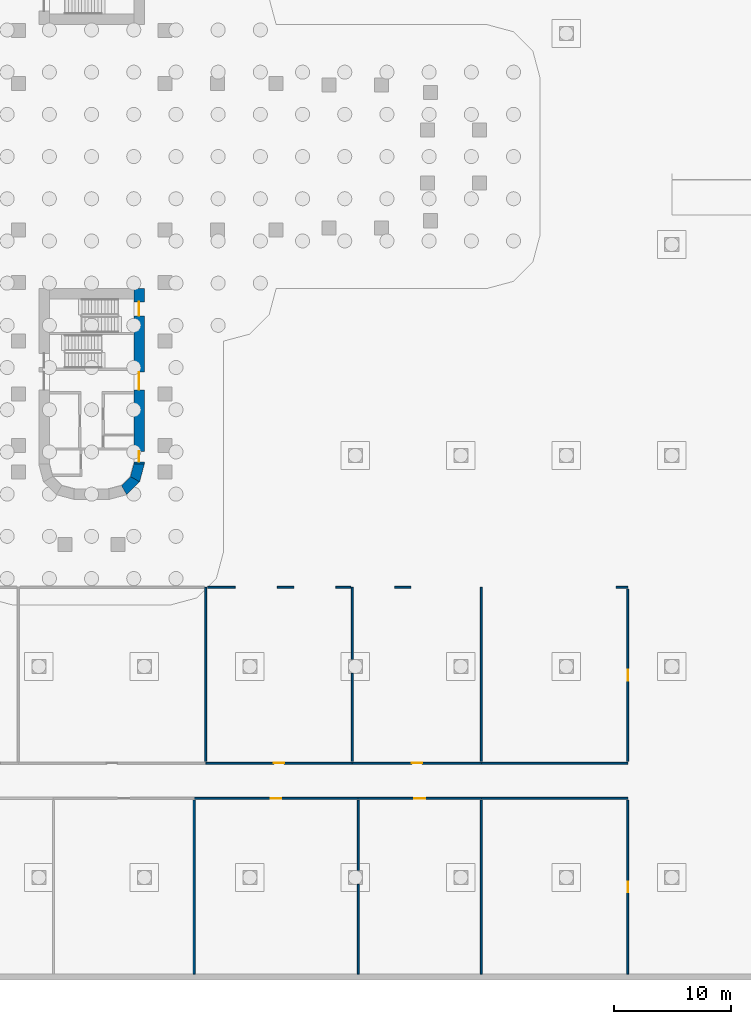
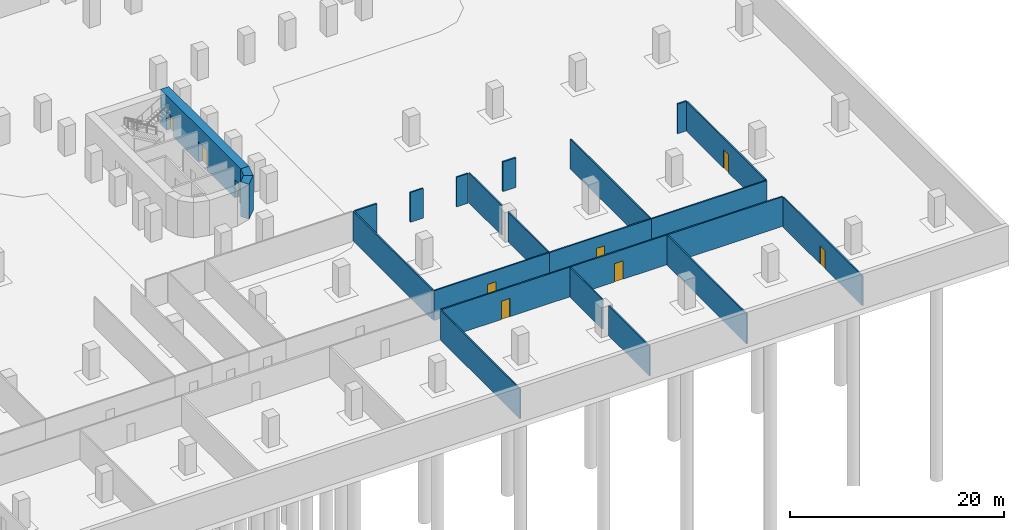
# One storey, part 8 of 14: 24 walls, 9 doors, 9 openings.
"""IFC4 building model written with IfcOpenShell, lengths in metres."""

from ifc_helpers import new_model, si_unit, direction, frame, frame_2d, origin, place, context, subcontext, project, spatial, polyline, rectangle, outline, extrude, material, layer, layer_set, type_object, element, fill, save


model = new_model("IFC4")

# Units and contexts
model_context = context("Model", 3, precision=1e-05, world=origin(), true_north=direction((0.0, 1.0)))
body_context = subcontext(model_context, "Body", "Model", "MODEL_VIEW")
ifc_project = project(units=[si_unit("LENGTHUNIT", "METRE"), si_unit("AREAUNIT", "SQUARE_METRE"), si_unit("VOLUMEUNIT", "CUBIC_METRE"), si_unit("PLANEANGLEUNIT", "RADIAN"), si_unit("MASSUNIT", "GRAM", prefix="KILO")], contexts=[model_context])

# Site, building, storey
site_placement = place(None, origin())
site = spatial("IfcSite", under=ifc_project, at=site_placement, CompositionType="ELEMENT")
building_placement = place(site_placement, origin())
building = spatial("IfcBuilding", under=site, at=building_placement, Name="Zarbagh Exchange Tower", CompositionType="ELEMENT")
storey_placement = place(building_placement, frame((0.0, 0.0, -8.0)))
storey = spatial("IfcBuildingStorey", under=building, at=storey_placement, Name="B2", CompositionType="ELEMENT", Elevation=-8.0)

# Wall, opening, door
ifc_material_1 = material(Name="Plasterboard partition")
ifc_layer_1 = layer(ifc_material_1, 0.14990234375)
ifc_layer_set_1 = layer_set([ifc_layer_1], Name="Board partition 150")
wall_type_1 = type_object("IfcWallType", Name="Board partition 150", PredefinedType="PARTITIONING", material=ifc_layer_set_1)
wall_1_placement = place(storey_placement, frame((22.75, -54.75, 0.0), z_axis=(0.0, 0.0, 1.0), x_axis=(-1.0, 0.0, 0.0)))
wall_1 = element("IfcWall", 1, at=wall_1_placement, inside=storey, type_object=wall_type_1, Name="WL-B2-W018", PredefinedType="PARTITIONING", context=body_context, shape_type="SweptSolid", body=[
    extrude(rectangle(XDim=14.0, YDim=0.14990234375, at=frame_2d((7.0, 0.0))), origin(), (0.0, 0.0, 1.0), 3.39990234375),
])
opening_1_placement = place(wall_1_placement, frame((6.550048828125, 0.0, 0.0)))
opening_1 = element("IfcOpeningElement", 2, at=opening_1_placement, cuts=wall_1, Name="Opening D12", PredefinedType="OPENING", context=body_context, shape_type="SweptSolid", body=[
    extrude(rectangle(XDim=0.89990234375, YDim=2.10009765625, at=frame_2d((0.449951171875, 1.050048828125))), frame((0.0, 0.0849609375, 0.0), z_axis=(0.0, -1.0, 0.0), x_axis=(1.0, 0.0, 0.0)), (0.0, 0.0, 1.0), 0.169921875),
])
ifc_material_2 = material(Name="Timber door leaf", Category="wood")
door_type_1 = type_object("IfcDoorType", Name="Door single 900x2100", OperationType="SINGLE_SWING_LEFT", PredefinedType="DOOR", material=ifc_material_2)
door_1_placement = place(opening_1_placement, origin())
door_1 = element("IfcDoor", 3, at=door_1_placement, inside=storey, type_object=door_type_1, Name="D12", OperationType="SINGLE_SWING_LEFT", OverallHeight=2.10009765625, OverallWidth=0.89990234375, PredefinedType="DOOR", context=body_context, shape_type="SweptSolid", body=[
    extrude(rectangle(XDim=0.89990234375, YDim=2.10009765625, at=frame_2d((0.449951171875, 1.050048828125))), frame((0.0, 0.02490234375, 0.0), z_axis=(0.0, -1.0, 0.0), x_axis=(1.0, 0.0, 0.0)), (0.0, 0.0, 1.0), 0.050048828125),
])
fill(opening_1, door_1)

wall_2_placement = place(storey_placement, frame((33.25, -54.75, 0.0), z_axis=(0.0, 0.0, 1.0), x_axis=(-1.0, 0.0, 0.0)))
wall_2 = element("IfcWall", 4, at=wall_2_placement, inside=storey, type_object=wall_type_1, Name="WL-B2-W019", PredefinedType="PARTITIONING", context=body_context, shape_type="SweptSolid", body=[
    extrude(rectangle(XDim=10.5, YDim=0.14990234375, at=frame_2d((5.25, 0.0))), origin(), (0.0, 0.0, 1.0), 3.39990234375),
])
opening_2_placement = place(wall_2_placement, frame((4.800048828125, 0.0, 0.0)))
opening_2 = element("IfcOpeningElement", 5, at=opening_2_placement, cuts=wall_2, Name="Opening D13", PredefinedType="OPENING", context=body_context, shape_type="SweptSolid", body=[
    extrude(rectangle(XDim=0.89990234375, YDim=2.10009765625, at=frame_2d((0.449951171875, 1.050048828125))), frame((0.0, 0.0849609375, 0.0), z_axis=(0.0, -1.0, 0.0), x_axis=(1.0, 0.0, 0.0)), (0.0, 0.0, 1.0), 0.169921875),
])
door_2_placement = place(opening_2_placement, origin())
door_2 = element("IfcDoor", 6, at=door_2_placement, inside=storey, type_object=door_type_1, Name="D13", OperationType="SINGLE_SWING_LEFT", OverallHeight=2.10009765625, OverallWidth=0.89990234375, PredefinedType="DOOR", context=body_context, shape_type="SweptSolid", body=[
    extrude(rectangle(XDim=0.89990234375, YDim=2.10009765625, at=frame_2d((0.449951171875, 1.050048828125))), frame((0.0, 0.02490234375, 0.0), z_axis=(0.0, -1.0, 0.0), x_axis=(1.0, 0.0, 0.0)), (0.0, 0.0, 1.0), 0.050048828125),
])
fill(opening_2, door_2)

# Wall
wall_3_placement = place(storey_placement, frame((45.75, -54.75, 0.0), z_axis=(0.0, 0.0, 1.0), x_axis=(-1.0, 0.0, 0.0)))
element("IfcWall", 7, at=wall_3_placement, inside=storey, type_object=wall_type_1, Name="WL-B2-W020", PredefinedType="PARTITIONING", context=body_context, shape_type="SweptSolid", body=[
    extrude(rectangle(XDim=12.5, YDim=0.14990234375, at=frame_2d((6.25, 0.0))), origin(), (0.0, 0.0, 1.0), 3.39990234375),
])

# Wall, opening, door
wall_4_placement = place(storey_placement, frame((9.75, -51.75, 0.0), z_axis=(0.0, 0.0, 1.0), x_axis=(1.0, 0.0, 0.0)))
wall_4 = element("IfcWall", 8, at=wall_4_placement, inside=storey, type_object=wall_type_1, Name="WL-B2-W027", PredefinedType="PARTITIONING", context=body_context, shape_type="SweptSolid", body=[
    extrude(rectangle(XDim=12.5, YDim=0.14990234375, at=frame_2d((6.25, 0.0))), origin(), (0.0, 0.0, 1.0), 3.39990234375),
])
opening_3_placement = place(wall_4_placement, frame((5.800048828125, 0.0, 0.0)))
opening_3 = element("IfcOpeningElement", 9, at=opening_3_placement, cuts=wall_4, Name="Opening D64", PredefinedType="OPENING", context=body_context, shape_type="SweptSolid", body=[
    extrude(rectangle(XDim=0.89990234375, YDim=2.10009765625, at=frame_2d((0.449951171875, 1.050048828125))), frame((0.0, 0.0849609375, 0.0), z_axis=(0.0, -1.0, 0.0), x_axis=(1.0, 0.0, 0.0)), (0.0, 0.0, 1.0), 0.169921875),
])
door_3_placement = place(opening_3_placement, origin())
door_3 = element("IfcDoor", 10, at=door_3_placement, inside=storey, type_object=door_type_1, Name="D19", OperationType="SINGLE_SWING_LEFT", OverallHeight=2.10009765625, OverallWidth=0.89990234375, PredefinedType="DOOR", context=body_context, shape_type="SweptSolid", body=[
    extrude(rectangle(XDim=0.89990234375, YDim=2.10009765625, at=frame_2d((0.449951171875, 1.050048828125))), frame((0.0, 0.02490234375, 0.0), z_axis=(0.0, -1.0, 0.0), x_axis=(1.0, 0.0, 0.0)), (0.0, 0.0, 1.0), 0.050048828125),
])
fill(opening_3, door_3)

wall_5_placement = place(storey_placement, frame((22.25, -51.75, 0.0), z_axis=(0.0, 0.0, 1.0), x_axis=(1.0, 0.0, 0.0)))
wall_5 = element("IfcWall", 11, at=wall_5_placement, inside=storey, type_object=wall_type_1, Name="WL-B2-W028", PredefinedType="PARTITIONING", context=body_context, shape_type="SweptSolid", body=[
    extrude(rectangle(XDim=11.0, YDim=0.14990234375, at=frame_2d((5.5, 0.0))), origin(), (0.0, 0.0, 1.0), 3.39990234375),
])
opening_4_placement = place(wall_5_placement, frame((5.050048828125, 0.0, 0.0)))
opening_4 = element("IfcOpeningElement", 12, at=opening_4_placement, cuts=wall_5, Name="Opening D20", PredefinedType="OPENING", context=body_context, shape_type="SweptSolid", body=[
    extrude(rectangle(XDim=0.89990234375, YDim=2.10009765625, at=frame_2d((0.449951171875, 1.050048828125))), frame((0.0, 0.0849609375, 0.0), z_axis=(0.0, -1.0, 0.0), x_axis=(1.0, 0.0, 0.0)), (0.0, 0.0, 1.0), 0.169921875),
])
door_4_placement = place(opening_4_placement, origin())
door_4 = element("IfcDoor", 13, at=door_4_placement, inside=storey, type_object=door_type_1, Name="D20", OperationType="SINGLE_SWING_LEFT", OverallHeight=2.10009765625, OverallWidth=0.89990234375, PredefinedType="DOOR", context=body_context, shape_type="SweptSolid", body=[
    extrude(rectangle(XDim=0.89990234375, YDim=2.10009765625, at=frame_2d((0.449951171875, 1.050048828125))), frame((0.0, 0.02490234375, 0.0), z_axis=(0.0, -1.0, 0.0), x_axis=(1.0, 0.0, 0.0)), (0.0, 0.0, 1.0), 0.050048828125),
])
fill(opening_4, door_4)

# Walls
wall_6_placement = place(storey_placement, frame((33.25, -51.75, 0.0), z_axis=(0.0, 0.0, 1.0), x_axis=(1.0, 0.0, 0.0)))
element("IfcWall", 14, at=wall_6_placement, inside=storey, type_object=wall_type_1, Name="WL-B2-W029", PredefinedType="PARTITIONING", context=body_context, shape_type="SweptSolid", body=[
    extrude(rectangle(XDim=12.5, YDim=0.14990234375, at=frame_2d((6.25, 0.0))), origin(), (0.0, 0.0, 1.0), 3.39990234375),
])
wall_7_placement = place(storey_placement, frame((8.75, -54.89990234375, 0.0), z_axis=(0.0, 0.0, 1.0), x_axis=(0.0, -1.0, 0.0)))
element("IfcWall", 15, at=wall_7_placement, inside=storey, type_object=wall_type_1, Name="WL-B2-W033", PredefinedType="PARTITIONING", context=body_context, shape_type="SweptSolid", body=[
    extrude(rectangle(XDim=14.85009765625, YDim=0.14990234375, at=frame_2d((7.425048828125, 0.0))), origin(), (0.0, 0.0, 1.0), 3.39990234375),
])
wall_8_placement = place(storey_placement, frame((22.75, -54.89990234375, 0.0), z_axis=(0.0, 0.0, 1.0), x_axis=(0.0, -1.0, 0.0)))
element("IfcWall", 16, at=wall_8_placement, inside=storey, type_object=wall_type_1, Name="WL-B2-W034", PredefinedType="PARTITIONING", context=body_context, shape_type="SweptSolid", body=[
    extrude(rectangle(XDim=6.0, YDim=0.14990234375, at=frame_2d((3.0, 0.0))), origin(), (0.0, 0.0, 1.0), 3.39990234375),
])
wall_9_placement = place(storey_placement, frame((22.75, -62.10009765625, 0.0), z_axis=(0.0, 0.0, 1.0), x_axis=(0.0, -1.0, 0.0)))
element("IfcWall", 17, at=wall_9_placement, inside=storey, type_object=wall_type_1, Name="WL-B2-W035", PredefinedType="PARTITIONING", context=body_context, shape_type="SweptSolid", body=[
    extrude(rectangle(XDim=7.64990234375, YDim=0.14990234375, at=frame_2d((3.824951171875, 0.0))), origin(), (0.0, 0.0, 1.0), 3.39990234375),
])
wall_10_placement = place(storey_placement, frame((33.25, -54.89990234375, 0.0), z_axis=(0.0, 0.0, 1.0), x_axis=(0.0, -1.0, 0.0)))
element("IfcWall", 18, at=wall_10_placement, inside=storey, type_object=wall_type_1, Name="WL-B2-W036", PredefinedType="PARTITIONING", context=body_context, shape_type="SweptSolid", body=[
    extrude(rectangle(XDim=14.85009765625, YDim=0.14990234375, at=frame_2d((7.425048828125, 0.0))), origin(), (0.0, 0.0, 1.0), 3.39990234375),
])

# Wall, opening, door
wall_11_placement = place(storey_placement, frame((45.75, -69.75, 0.0), z_axis=(0.0, 0.0, 1.0), x_axis=(0.0, 1.0, 0.0)))
wall_11 = element("IfcWall", 19, at=wall_11_placement, inside=storey, type_object=wall_type_1, Name="WL-B2-W037", PredefinedType="PARTITIONING", context=body_context, shape_type="SweptSolid", body=[
    extrude(rectangle(XDim=14.85009765625, YDim=0.14990234375, at=frame_2d((7.425048828125, 0.0))), origin(), (0.0, 0.0, 1.0), 3.39990234375),
])
opening_5_placement = place(wall_11_placement, frame((6.97509765625, 0.0, 0.0)))
opening_5 = element("IfcOpeningElement", 20, at=opening_5_placement, cuts=wall_11, Name="Opening D21", PredefinedType="OPENING", context=body_context, shape_type="SweptSolid", body=[
    extrude(rectangle(XDim=0.89990234375, YDim=2.10009765625, at=frame_2d((0.449951171875, 1.050048828125))), frame((0.0, 0.0849609375, 0.0), z_axis=(0.0, -1.0, 0.0), x_axis=(1.0, 0.0, 0.0)), (0.0, 0.0, 1.0), 0.169921875),
])
door_5_placement = place(opening_5_placement, origin())
door_5 = element("IfcDoor", 21, at=door_5_placement, inside=storey, type_object=door_type_1, Name="D21", OperationType="SINGLE_SWING_LEFT", OverallHeight=2.10009765625, OverallWidth=0.89990234375, PredefinedType="DOOR", context=body_context, shape_type="SweptSolid", body=[
    extrude(rectangle(XDim=0.89990234375, YDim=2.10009765625, at=frame_2d((0.449951171875, 1.050048828125))), frame((0.0, 0.02490234375, 0.0), z_axis=(0.0, -1.0, 0.0), x_axis=(1.0, 0.0, 0.0)), (0.0, 0.0, 1.0), 0.050048828125),
])
fill(opening_5, door_5)

# Walls
wall_12_placement = place(storey_placement, frame((9.75, -36.75, 0.0), z_axis=(0.0, 0.0, 1.0), x_axis=(0.0, -1.0, 0.0)))
element("IfcWall", 22, at=wall_12_placement, inside=storey, type_object=wall_type_1, Name="WL-B2-W045", PredefinedType="PARTITIONING", context=body_context, shape_type="SweptSolid", body=[
    extrude(rectangle(XDim=14.85009765625, YDim=0.14990234375, at=frame_2d((7.425048828125, 0.0))), origin(), (0.0, 0.0, 1.0), 3.39990234375),
])
wall_13_placement = place(storey_placement, frame((22.25, -36.75, 0.0), z_axis=(0.0, 0.0, 1.0), x_axis=(0.0, -1.0, 0.0)))
element("IfcWall", 23, at=wall_13_placement, inside=storey, type_object=wall_type_1, Name="WL-B2-W047", PredefinedType="PARTITIONING", context=body_context, shape_type="SweptSolid", body=[
    extrude(rectangle(XDim=6.14990234375, YDim=0.14990234375, at=frame_2d((3.074951171875, 0.0))), origin(), (0.0, 0.0, 1.0), 3.39990234375),
])
wall_14_placement = place(storey_placement, frame((22.25, -44.10009765625, 0.0), z_axis=(0.0, 0.0, 1.0), x_axis=(0.0, -1.0, 0.0)))
element("IfcWall", 24, at=wall_14_placement, inside=storey, type_object=wall_type_1, Name="WL-B2-W048", PredefinedType="PARTITIONING", context=body_context, shape_type="SweptSolid", body=[
    extrude(rectangle(XDim=7.5, YDim=0.14990234375, at=frame_2d((3.75, 0.0))), origin(), (0.0, 0.0, 1.0), 3.39990234375),
])
wall_15_placement = place(storey_placement, frame((9.89990234375, -36.75, 0.0), z_axis=(0.0, 0.0, 1.0), x_axis=(1.0, 0.0, 0.0)))
element("IfcWall", 25, at=wall_15_placement, inside=storey, type_object=wall_type_1, Name="WL-B2-W049", PredefinedType="PARTITIONING", context=body_context, shape_type="SweptSolid", body=[
    extrude(rectangle(XDim=2.35009765625, YDim=0.14990234375, at=frame_2d((1.175048828125, 0.0))), origin(), (0.0, 0.0, 1.0), 3.39990234375),
])
wall_16_placement = place(storey_placement, frame((15.85009765625, -36.75, 0.0), z_axis=(0.0, 0.0, 1.0), x_axis=(1.0, 0.0, 0.0)))
element("IfcWall", 26, at=wall_16_placement, inside=storey, type_object=wall_type_1, Name="WL-B2-W050", PredefinedType="PARTITIONING", context=body_context, shape_type="SweptSolid", body=[
    extrude(rectangle(XDim=1.39990234375, YDim=0.14990234375, at=frame_2d((0.699951171875, 0.0))), origin(), (0.0, 0.0, 1.0), 3.39990234375),
])
wall_17_placement = place(storey_placement, frame((20.85009765625, -36.75, 0.0), z_axis=(0.0, 0.0, 1.0), x_axis=(1.0, 0.0, 0.0)))
element("IfcWall", 27, at=wall_17_placement, inside=storey, type_object=wall_type_1, Name="WL-B2-W051", PredefinedType="PARTITIONING", context=body_context, shape_type="SweptSolid", body=[
    extrude(rectangle(XDim=1.25, YDim=0.14990234375, at=frame_2d((0.625, 0.0))), origin(), (0.0, 0.0, 1.0), 3.39990234375),
])
wall_18_placement = place(storey_placement, frame((33.25, -36.75, 0.0), z_axis=(0.0, 0.0, 1.0), x_axis=(0.0, -1.0, 0.0)))
element("IfcWall", 28, at=wall_18_placement, inside=storey, type_object=wall_type_1, Name="WL-B2-W052", PredefinedType="PARTITIONING", context=body_context, shape_type="SweptSolid", body=[
    extrude(rectangle(XDim=14.85009765625, YDim=0.14990234375, at=frame_2d((7.425048828125, 0.0))), origin(), (0.0, 0.0, 1.0), 3.39990234375),
])
wall_19_placement = place(storey_placement, frame((25.85009765625, -36.75, 0.0), z_axis=(0.0, 0.0, 1.0), x_axis=(1.0, 0.0, 0.0)))
element("IfcWall", 29, at=wall_19_placement, inside=storey, type_object=wall_type_1, Name="WL-B2-W053", PredefinedType="PARTITIONING", context=body_context, shape_type="SweptSolid", body=[
    extrude(rectangle(XDim=1.39990234375, YDim=0.14990234375, at=frame_2d((0.699951171875, 0.0))), origin(), (0.0, 0.0, 1.0), 3.39990234375),
])
wall_20_placement = place(storey_placement, frame((44.75, -36.75, 0.0), z_axis=(0.0, 0.0, 1.0), x_axis=(1.0, 0.0, 0.0)))
element("IfcWall", 30, at=wall_20_placement, inside=storey, type_object=wall_type_1, Name="WL-B2-W054", PredefinedType="PARTITIONING", context=body_context, shape_type="SweptSolid", body=[
    extrude(rectangle(XDim=1.0, YDim=0.14990234375, at=frame_2d((0.5, 0.0))), origin(), (0.0, 0.0, 1.0), 3.39990234375),
])

# Wall, opening, door
wall_21_placement = place(storey_placement, frame((45.75, -51.60009765625, 0.0), z_axis=(0.0, 0.0, 1.0), x_axis=(0.0, 1.0, 0.0)))
wall_21 = element("IfcWall", 31, at=wall_21_placement, inside=storey, type_object=wall_type_1, Name="WL-B2-W055", PredefinedType="PARTITIONING", context=body_context, shape_type="SweptSolid", body=[
    extrude(rectangle(XDim=14.7001953125, YDim=0.14990234375, at=frame_2d((7.35009765625, 0.0))), origin(), (0.0, 0.0, 1.0), 3.39990234375),
])
opening_6_placement = place(wall_21_placement, frame((6.89990234375, 0.0, 0.0)))
opening_6 = element("IfcOpeningElement", 32, at=opening_6_placement, cuts=wall_21, Name="Opening D22", PredefinedType="OPENING", context=body_context, shape_type="SweptSolid", body=[
    extrude(rectangle(XDim=0.89990234375, YDim=2.10009765625, at=frame_2d((0.449951171875, 1.050048828125))), frame((0.0, 0.0849609375, 0.0), z_axis=(0.0, -1.0, 0.0), x_axis=(1.0, 0.0, 0.0)), (0.0, 0.0, 1.0), 0.169921875),
])
door_6_placement = place(opening_6_placement, origin())
door_6 = element("IfcDoor", 33, at=door_6_placement, inside=storey, type_object=door_type_1, Name="D22", OperationType="SINGLE_SWING_LEFT", OverallHeight=2.10009765625, OverallWidth=0.89990234375, PredefinedType="DOOR", context=body_context, shape_type="SweptSolid", body=[
    extrude(rectangle(XDim=0.89990234375, YDim=2.10009765625, at=frame_2d((0.449951171875, 1.050048828125))), frame((0.0, 0.02490234375, 0.0), z_axis=(0.0, -1.0, 0.0), x_axis=(1.0, 0.0, 0.0)), (0.0, 0.0, 1.0), 0.050048828125),
])
fill(opening_6, door_6)

# Walls
ifc_material_3 = material(Name="Concrete C60/75", Category="concrete")
ifc_layer_2 = layer(ifc_material_3, 0.89990234375)
ifc_layer_set_2 = layer_set([ifc_layer_2], Name="RC core corner wall 900 C60/75")
wall_type_2 = type_object("IfcWallType", Name="RC core corner wall 900 C60/75", PredefinedType="SHEAR", material=ifc_layer_set_2)
wall_22_placement = place(storey_placement, origin())
element("IfcWall", 34, at=wall_22_placement, inside=storey, type_object=wall_type_2, Name="CW2 core S corner E", PredefinedType="SHEAR", context=body_context, shape_type="SweptSolid", body=[
    extrude(outline(polyline([(4.5, -26.25), (4.09814453125, -27.75), (3.318603515625, -27.300048828125), (3.60009765625, -26.25), (4.5, -26.25)])), origin(), (0.0, 0.0, 1.0), 4.0),
])
wall_23_placement = place(storey_placement, origin())
element("IfcWall", 35, at=wall_23_placement, inside=storey, type_object=wall_type_2, Name="CW2 core S corner E", PredefinedType="SHEAR", context=body_context, shape_type="SweptSolid", body=[
    extrude(outline(polyline([(4.09814453125, -27.75), (3.0, -28.84814453125), (2.550048828125, -28.068603515625), (3.318603515625, -27.300048828125), (4.09814453125, -27.75)])), origin(), (0.0, 0.0, 1.0), 4.0),
])

# Wall, openings, doors
ifc_layer_3 = layer(ifc_material_3, 0.89990234375)
ifc_layer_set_3 = layer_set([ifc_layer_3], Name="RC core wall 900 C60/75")
wall_type_3 = type_object("IfcWallType", Name="RC core wall 900 C60/75", PredefinedType="SHEAR", material=ifc_layer_set_3)
wall_24_placement = place(storey_placement, frame((4.050048828125, -11.25, 0.0), z_axis=(0.0, 0.0, 1.0), x_axis=(0.0, -1.0, 0.0)))
wall_24 = element("IfcWall", 36, at=wall_24_placement, inside=storey, type_object=wall_type_3, Name="CW1 core S E", PredefinedType="SHEAR", context=body_context, shape_type="SweptSolid", body=[
    extrude(rectangle(XDim=15.0, YDim=0.89990234375, at=frame_2d((7.5, 0.0))), origin(), (0.0, 0.0, 1.0), 4.0),
])
opening_7_placement = place(wall_24_placement, frame((7.14990234375, 0.0, 0.0)))
opening_7 = element("IfcOpeningElement", 37, at=opening_7_placement, cuts=wall_24, Name="Opening CD1-1500", PredefinedType="OPENING", context=body_context, shape_type="SweptSolid", body=[
    extrude(rectangle(XDim=1.5, YDim=2.300048828125, at=frame_2d((0.75, 1.14990234375))), frame((0.0, 0.4599609375, 0.0), z_axis=(0.0, -1.0, 0.0), x_axis=(1.0, 0.0, 0.0)), (0.0, 0.0, 1.0), 0.919921875),
])
opening_8_placement = place(wall_24_placement, frame((13.89990234375, 0.0, 0.0)))
opening_8 = element("IfcOpeningElement", 38, at=opening_8_placement, cuts=wall_24, Name="Opening CD2-900", PredefinedType="OPENING", context=body_context, shape_type="SweptSolid", body=[
    extrude(rectangle(XDim=0.89990234375, YDim=2.10009765625, at=frame_2d((0.449951171875, 1.050048828125))), frame((0.0, 0.4599609375, 0.0), z_axis=(0.0, -1.0, 0.0), x_axis=(1.0, 0.0, 0.0)), (0.0, 0.0, 1.0), 0.919921875),
])
opening_9_placement = place(wall_24_placement, frame((1.14990234375, 0.0, 0.0)))
opening_9 = element("IfcOpeningElement", 39, at=opening_9_placement, cuts=wall_24, Name="Opening SD1-1200", PredefinedType="OPENING", context=body_context, shape_type="SweptSolid", body=[
    extrude(rectangle(XDim=1.199951171875, YDim=2.10009765625, at=frame_2d((0.60009765625, 1.050048828125))), frame((0.0, 0.4599609375, 0.0), z_axis=(0.0, -1.0, 0.0), x_axis=(1.0, 0.0, 0.0)), (0.0, 0.0, 1.0), 0.919921875),
])
ifc_material_4 = material(Name="Steel", Category="steel")
door_type_2 = type_object("IfcDoorType", Name="Exit stair door 1200 x 2100", OperationType="NOTDEFINED", PredefinedType="DOOR", material=ifc_material_4)
door_7_placement = place(opening_9_placement, origin())
door_7 = element("IfcDoor", 40, at=door_7_placement, inside=storey, type_object=door_type_2, Name="South core stair door ST2", OperationType="SINGLE_SWING_LEFT", OverallHeight=2.10009765625, OverallWidth=1.199951171875, PredefinedType="DOOR", context=body_context, shape_type="SweptSolid", body=[
    extrude(rectangle(XDim=1.199951171875, YDim=2.10009765625, at=frame_2d((0.60009765625, 1.050048828125))), frame((0.0, 0.02490234375, 0.0), z_axis=(0.0, -1.0, 0.0), x_axis=(1.0, 0.0, 0.0)), (0.0, 0.0, 1.0), 0.050048828125),
])
fill(opening_9, door_7)
door_type_3 = type_object("IfcDoorType", Name="Firefighting lobby door 900 x 2100", OperationType="NOTDEFINED", PredefinedType="DOOR", material=ifc_material_4)
door_8_placement = place(opening_8_placement, origin())
door_8 = element("IfcDoor", 41, at=door_8_placement, inside=storey, type_object=door_type_3, Name="South core firefighting lobby door FF-W", OperationType="SINGLE_SWING_RIGHT", OverallHeight=2.10009765625, OverallWidth=0.89990234375, PredefinedType="DOOR", context=body_context, shape_type="SweptSolid", body=[
    extrude(rectangle(XDim=0.89990234375, YDim=2.10009765625, at=frame_2d((0.449951171875, 1.050048828125))), frame((0.0, 0.02490234375, 0.0), z_axis=(0.0, -1.0, 0.0), x_axis=(1.0, 0.0, 0.0)), (0.0, 0.0, 1.0), 0.050048828125),
])
fill(opening_8, door_8)
door_type_4 = type_object("IfcDoorType", Name="Lift lobby double door 1500 x 2300", OperationType="NOTDEFINED", PredefinedType="DOOR", material=ifc_material_4)
door_9_placement = place(opening_7_placement, origin())
door_9 = element("IfcDoor", 42, at=door_9_placement, inside=storey, type_object=door_type_4, Name="South core lift lobby door LOBBY-W", OperationType="DOUBLE_DOOR_SINGLE_SWING", OverallHeight=2.300048828125, OverallWidth=1.5, PredefinedType="DOOR", context=body_context, shape_type="SweptSolid", body=[
    extrude(rectangle(XDim=1.5, YDim=2.300048828125, at=frame_2d((0.75, 1.14990234375))), frame((0.0, 0.02490234375, 0.0), z_axis=(0.0, -1.0, 0.0), x_axis=(1.0, 0.0, 0.0)), (0.0, 0.0, 1.0), 0.050048828125),
])
fill(opening_7, door_9)

save(model, "model.ifc")
